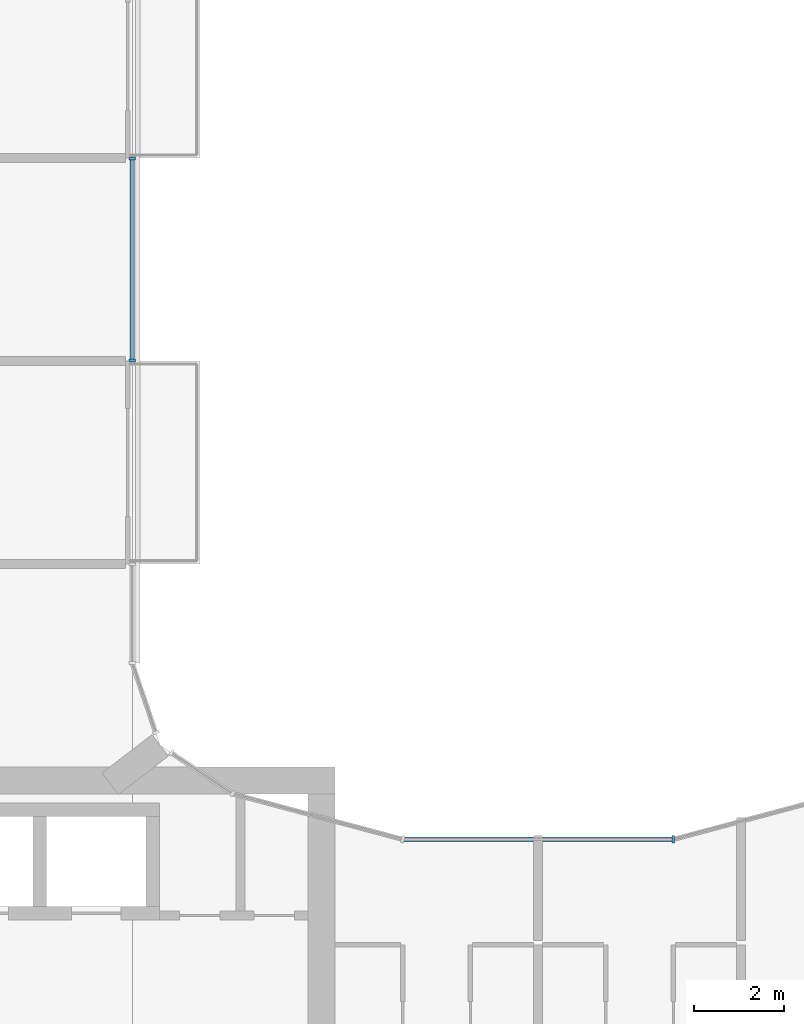
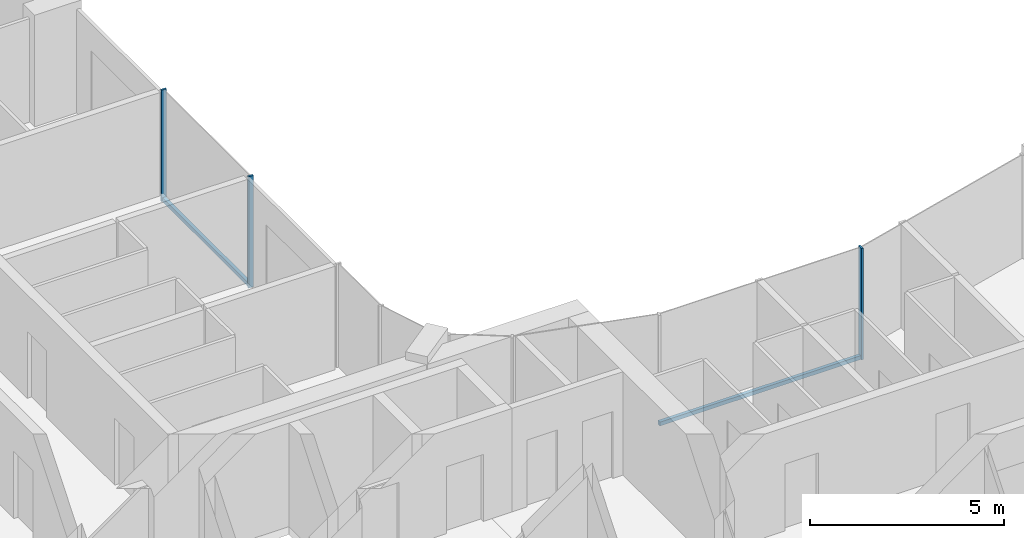
# One storey, part 5 of 16: 5 members, 2 elements without a shape of their own.
"""IFC4 building model written with IfcOpenShell, lengths in metres."""

from ifc_helpers import new_model, si_unit, direction, frame, origin, origin_2d, place, context, subcontext, project, spatial, rectangle, extrude, material, layer, layer_set, material_profile, profile_set, type_object, element, aggregate, save


model = new_model("IFC4")

# Units and contexts
model_context = context("Model", 3, precision=1e-05, world=origin(), true_north=direction((0.0, 1.0)))
body_context = subcontext(model_context, "Body", "Model", "MODEL_VIEW")
ifc_project = project(units=[si_unit("LENGTHUNIT", "METRE"), si_unit("AREAUNIT", "SQUARE_METRE"), si_unit("VOLUMEUNIT", "CUBIC_METRE"), si_unit("PLANEANGLEUNIT", "RADIAN"), si_unit("MASSUNIT", "GRAM", prefix="KILO")], contexts=[model_context])

# Site, building, storey
site_placement = place(None, origin())
site = spatial("IfcSite", under=ifc_project, at=site_placement, CompositionType="ELEMENT")
building_placement = place(site_placement, origin())
building = spatial("IfcBuilding", under=site, at=building_placement, Name="Plateau Cross Towers", CompositionType="ELEMENT")
storey_placement = place(building_placement, frame((0.0, 0.0, 160.39990234375)))
storey = spatial("IfcBuildingStorey", under=building, at=storey_placement, Name="L41", CompositionType="ELEMENT", Elevation=160.39990234375)

# Curtain wall, members
ifc_material_1 = material(Name="Dark low-iron glass", Category="glass")
ifc_layer_1 = layer(ifc_material_1, 0.239990234375)
ifc_layer_set_1 = layer_set([ifc_layer_1], Name="Dark low-iron glass")
curtain_wall_type_1 = type_object("IfcCurtainWallType", Name="Curtain wall flush unitised CW-B", PredefinedType="NOTDEFINED", material=ifc_layer_set_1)
curtain_wall_1_placement = place(storey_placement, origin())
curtain_wall_1 = element("IfcCurtainWall", 1, at=curtain_wall_1_placement, inside=storey, type_object=curtain_wall_type_1, Name="ENV/A/L41/A180_270", PredefinedType="NOTDEFINED")
ifc_material_2 = material(Name="Black anodised aluminium", Category="aluminium")
ifc_material_profile_1 = material_profile(ifc_material_2, rectangle(XDim=0.06005859375, YDim=0.139892578125, at=origin_2d()), Name="MULLION 60x140")
ifc_profile_set_1 = profile_set([ifc_material_profile_1], Name="Black anodised aluminium")
member_type_1 = type_object("IfcMemberType", Name="Mullion 60x140 flush unitised", PredefinedType="MULLION", material=ifc_profile_set_1)
member_1_placement = place(storey_placement, frame((18.0, 27.010009765625, -0.25), z_axis=(0.0, 0.0, 1.0), x_axis=(0.0, 1.0, 0.0)))
member_1 = element("IfcMember", 2, at=member_1_placement, type_object=member_type_1, Name="CW-B mullion 1", PredefinedType="MULLION", context=body_context, shape_type="SweptSolid", body=[
    extrude(rectangle(XDim=0.06005859375, YDim=0.139892578125, at=origin_2d()), origin(), (0.0, 0.0, 1.0), 3.5),
])
member_2_placement = place(storey_placement, frame((18.0, 31.489990234375, -0.25), z_axis=(0.0, 0.0, 1.0), x_axis=(0.0, 1.0, 0.0)))
member_2 = element("IfcMember", 3, at=member_2_placement, type_object=member_type_1, Name="CW-B mullion 2", PredefinedType="MULLION", context=body_context, shape_type="SweptSolid", body=[
    extrude(rectangle(XDim=0.06005859375, YDim=0.139892578125, at=origin_2d()), origin(), (0.0, 0.0, 1.0), 3.5),
])

# Curtain wall, member
ifc_layer_2 = layer(ifc_material_1, 0.260009765625)
ifc_layer_set_2 = layer_set([ifc_layer_2], Name="Dark low-iron glass")
curtain_wall_type_2 = type_object("IfcCurtainWallType", Name="Curtain wall fluted unitised CW-A", PredefinedType="NOTDEFINED", material=ifc_layer_set_2)
curtain_wall_2_placement = place(storey_placement, origin())
curtain_wall_2 = element("IfcCurtainWall", 4, at=curtain_wall_2_placement, inside=storey, type_object=curtain_wall_type_2, Name="ENV/A/L41/A300_164", PredefinedType="NOTDEFINED")
ifc_material_profile_2 = material_profile(ifc_material_2, rectangle(XDim=0.06005859375, YDim=0.159912109375, at=origin_2d()), Name="MULLION 60x160")
ifc_profile_set_2 = profile_set([ifc_material_profile_2], Name="Black anodised aluminium")
member_type_2 = type_object("IfcMemberType", Name="Mullion 60x160 fluted unitised", PredefinedType="MULLION", material=ifc_profile_set_2)
member_3_placement = place(storey_placement, frame((30.0, 16.39306640625, -0.25), z_axis=(0.0, 0.0, 1.0), x_axis=(-1.0, 0.0, 0.0)))
member_3 = element("IfcMember", 5, at=member_3_placement, type_object=member_type_2, Name="CW-A mullion 1", PredefinedType="MULLION", context=body_context, shape_type="SweptSolid", body=[
    extrude(rectangle(XDim=0.06005859375, YDim=0.159912109375, at=origin_2d()), origin(), (0.0, 0.0, 1.0), 3.5),
])

# Member
ifc_material_profile_3 = material_profile(ifc_material_2, rectangle(XDim=0.10009765625, YDim=0.1201171875, at=origin_2d()), Name="TRANSOM 100x120")
ifc_profile_set_3 = profile_set([ifc_material_profile_3], Name="Black anodised aluminium")
member_type_3 = type_object("IfcMemberType", Name="Transom 100x120 flush unitised", PredefinedType="USERDEFINED", material=ifc_profile_set_3)
member_4_placement = place(storey_placement, frame((18.0, 27.010009765625, -0.18994140625), z_axis=(0.0, 1.0, 0.0), x_axis=(-1.0, 0.0, 0.0)))
member_4 = element("IfcMember", 6, at=member_4_placement, type_object=member_type_3, Name="CW-B transom", ObjectType="TRANSOM", PredefinedType="USERDEFINED", context=body_context, shape_type="SweptSolid", body=[
    extrude(rectangle(XDim=0.10009765625, YDim=0.1201171875, at=origin_2d()), origin(), (0.0, 0.0, 1.0), 4.47998046875),
])

aggregate(curtain_wall_1, [member_1, member_2, member_4])

ifc_material_profile_4 = material_profile(ifc_material_2, rectangle(XDim=0.10009765625, YDim=0.1201171875, at=origin_2d()), Name="TRANSOM 100x120")
ifc_profile_set_4 = profile_set([ifc_material_profile_4], Name="Black anodised aluminium")
member_type_4 = type_object("IfcMemberType", Name="Transom 100x120 fluted unitised", PredefinedType="USERDEFINED", material=ifc_profile_set_4)
member_5_placement = place(storey_placement, frame((30.0, 16.39306640625, -0.18994140625), z_axis=(-1.0, 0.0, 0.0), x_axis=(0.0, -1.0, 0.0)))
member_5 = element("IfcMember", 7, at=member_5_placement, type_object=member_type_4, Name="CW-A transom", ObjectType="TRANSOM", PredefinedType="USERDEFINED", context=body_context, shape_type="SweptSolid", body=[
    extrude(rectangle(XDim=0.10009765625, YDim=0.1201171875, at=origin_2d()), origin(), (0.0, 0.0, 1.0), 6.0),
])

aggregate(curtain_wall_2, [member_3, member_5])

save(model, "model.ifc")
